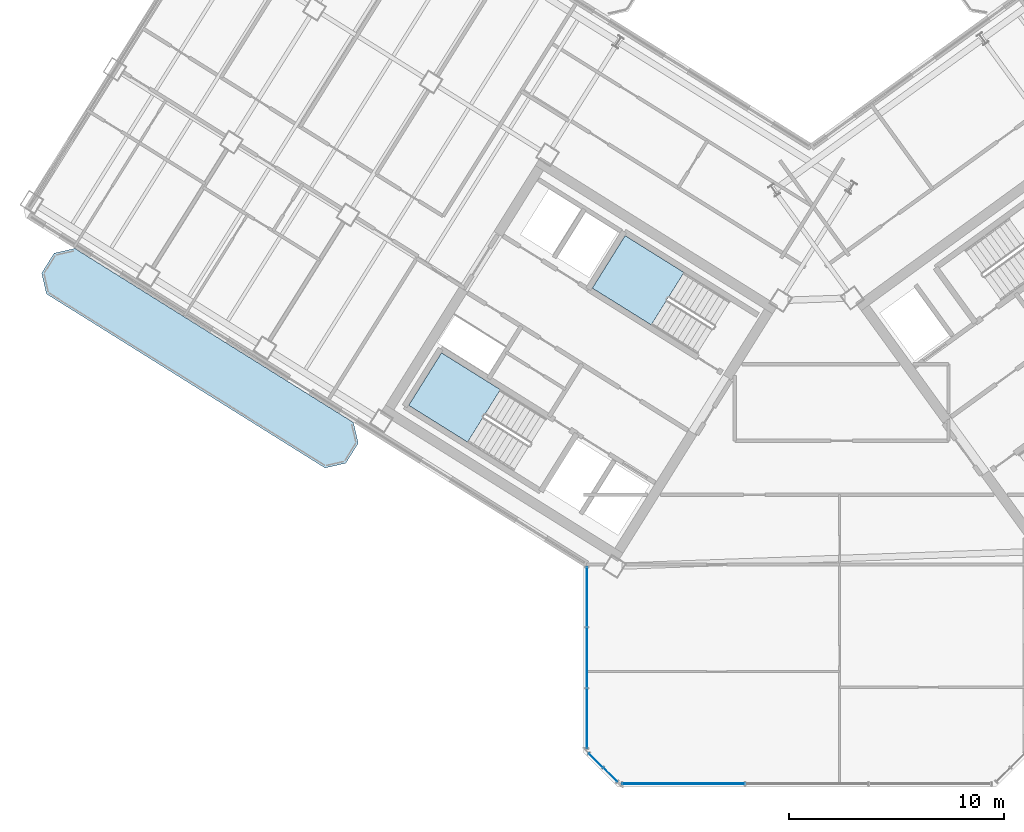
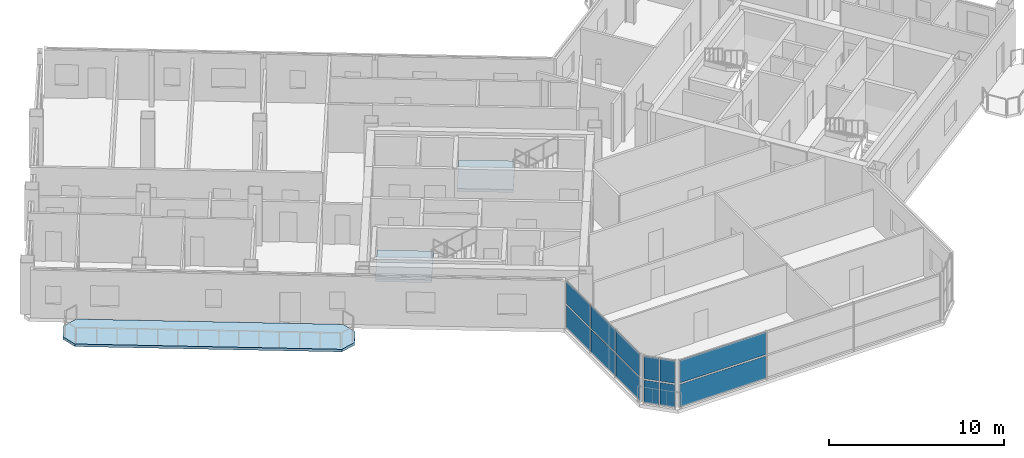
# One storey, part 8 of 21: 12 plates, 3 slabs, 5 elements without a shape of their own.
"""IFC4 building model written with IfcOpenShell, lengths in metres."""

from ifc_helpers import new_model, si_unit, direction, frame, origin, origin_2d, place, context, subcontext, project, spatial, polyline, rectangle, outline, extrude, source, transform, mapped, material, layer, layer_set, type_object, element, aggregate, save


model = new_model("IFC4")

# Units and contexts
model_context = context("Model", 3, precision=1e-05, world=origin(), true_north=direction((0.0, 1.0)))
body_context = subcontext(model_context, "Body", "Model", "MODEL_VIEW")
ifc_project = project(units=[si_unit("LENGTHUNIT", "METRE"), si_unit("AREAUNIT", "SQUARE_METRE"), si_unit("VOLUMEUNIT", "CUBIC_METRE"), si_unit("PLANEANGLEUNIT", "RADIAN"), si_unit("MASSUNIT", "GRAM", prefix="KILO")], contexts=[model_context])

# Site, building, storey
site_placement = place(None, origin())
site = spatial("IfcSite", under=ifc_project, at=site_placement, CompositionType="ELEMENT")
building_placement = place(site_placement, origin())
building = spatial("IfcBuilding", under=site, at=building_placement, Name="Tlacorven Tower", CompositionType="ELEMENT")
storey_placement = place(building_placement, frame((0.0, 0.0, 214.800048828125)))
storey = spatial("IfcBuildingStorey", under=building, at=storey_placement, Name="L54", CompositionType="ELEMENT", Elevation=214.800048828125)

# Slab
ifc_material_1 = material(Name="Precast concrete C45/55", Category="concrete")
ifc_layer_1 = layer(ifc_material_1, 0.179931640625)
ifc_layer_set_1 = layer_set([ifc_layer_1], Name="Precast concrete C45/55")
slab_type_1 = type_object("IfcSlabType", Name="SL-BAL-180", PredefinedType="USERDEFINED", material=ifc_layer_set_1)
slab_1_placement = place(storey_placement, frame((0.0, 0.0, -0.179931640625)))
element("IfcSlab", 1, at=slab_1_placement, inside=storey, type_object=slab_type_1, Name="L54 West Wing Balcony Ribbon OUT", ObjectType="BALCONY SLAB", PredefinedType="USERDEFINED", context=body_context, shape_type="SweptSolid", body=[
    extrude(outline(polyline([(20.88671875, 18.78271484375), (7.91162109375, 26.890625), (6.947021484375, 26.66796875), (6.366943359375, 25.7392578125), (6.589599609375, 24.774658203125), (19.564697265625, 16.6669921875), (20.529296875, 16.8896484375), (21.109375, 17.818115234375), (20.88671875, 18.78271484375)])), origin(), (0.0, 0.0, 1.0), 0.179931640625),
])

# Stair, slab
ifc_material_2 = material(Name="Concrete C40/50", Category="concrete")
stair_type = type_object("IfcStairType", Name="ST-CORE-DLG", PredefinedType="HALF_TURN_STAIR", material=ifc_material_2)
stair_1_placement = place(storey_placement, origin())
stair_1 = element("IfcStair", 2, at=stair_1_placement, inside=storey, type_object=stair_type, Name="L54 Protected Exit Stair West 1", PredefinedType="HALF_TURN_STAIR")
ifc_layer_2 = layer(ifc_material_2, 0.199951171875)
ifc_layer_set_2 = layer_set([ifc_layer_2], Name="Concrete C40/50")
slab_type_2 = type_object("IfcSlabType", Name="SL-LND-200", PredefinedType="LANDING", material=ifc_layer_set_2)
slab_2_placement = place(storey_placement, frame((0.0, 0.0, 1.599853515625)))
slab_2 = element("IfcSlab", 3, at=slab_2_placement, type_object=slab_type_2, Name="ST-W1 landing 1", PredefinedType="LANDING", context=body_context, shape_type="SweptSolid", body=[
    extrude(outline(polyline([(27.728515625, 20.315185546875), (24.9892578125, 22.02685546875), (23.463134765625, 19.58447265625), (26.2021484375, 17.872802734375), (27.728515625, 20.315185546875)])), origin(), (0.0, 0.0, 1.0), 0.2001953125),
])
aggregate(stair_1, [slab_2])

stair_2_placement = place(storey_placement, origin())
stair_2 = element("IfcStair", 4, at=stair_2_placement, inside=storey, type_object=stair_type, Name="L54 Protected Exit Stair West 2", PredefinedType="HALF_TURN_STAIR")
slab_3_placement = place(storey_placement, frame((0.0, 0.0, 1.599853515625)))
slab_3 = element("IfcSlab", 5, at=slab_3_placement, type_object=slab_type_2, Name="ST-W2 landing 1", PredefinedType="LANDING", context=body_context, shape_type="SweptSolid", body=[
    extrude(outline(polyline([(36.280029296875, 25.772705078125), (33.540771484375, 27.484375), (32.0146484375, 25.0419921875), (34.75390625, 23.33056640625), (36.280029296875, 25.772705078125)])), origin(), (0.0, 0.0, 1.0), 0.2001953125),
])
aggregate(stair_2, [slab_3])

# Curtain wall, plates
ifc_material_3 = material(Name="Dark solar low-E double glazing in aluminium frame", Category="aluminium")
curtain_wall_type = type_object("IfcCurtainWallType", Name="CW-TWR-HIGH", PredefinedType="USERDEFINED", material=ifc_material_3)
curtain_wall_1_placement = place(storey_placement, origin())
curtain_wall_1 = element("IfcCurtainWall", 6, at=curtain_wall_1_placement, inside=storey, type_object=curtain_wall_type, Name="L54 CW-TWR-HIGH Curtain Wall 246", ObjectType="UNITISED CURTAIN WALL", PredefinedType="USERDEFINED")
ifc_material_4 = material(Name="High-wind dark solar tempered low-E glazing", Category="glass")
ifc_layer_3 = layer(ifc_material_4, 0.028076171875)
ifc_layer_set_3 = layer_set([ifc_layer_3], Name="High-wind dark solar tempered low-E glazing")
plate_type = type_object("IfcPlateType", Name="CWP-03", PredefinedType="CURTAIN_PANEL", material=ifc_layer_set_3)
shared_shape_1 = source(origin(), body_context, "Body", "SweptSolid", [
    extrude(rectangle(XDim=0.89306640625, YDim=0.028076171875, at=origin_2d()), origin(), (0.0, 0.0, 1.0), 1.572998046875),
])
plate_1_placement = place(storey_placement, frame((32.84375, 2.382568359375, 0.05078125), z_axis=(0.0, 0.0, 1.0), x_axis=(-0.707106781187, 0.707106781187, 0.0)))
plate_1 = element("IfcPlate", 7, at=plate_1_placement, type_object=plate_type, Name="CW-L54-246 Glazing Panel 1", PredefinedType="CURTAIN_PANEL", context=body_context, shape_type="MappedRepresentation", body=[
    mapped(shared_shape_1, transform((0.0, 0.0, 0.0), scale=1.0)),
])
plate_2_placement = place(storey_placement, frame((32.84375, 2.382568359375, 1.72607421875), z_axis=(0.0, 0.0, 1.0), x_axis=(-0.707106781187, 0.707106781187, 0.0)))
plate_2 = element("IfcPlate", 8, at=plate_2_placement, type_object=plate_type, Name="CW-L54-246 Glazing Panel 2", PredefinedType="CURTAIN_PANEL", context=body_context, shape_type="MappedRepresentation", body=[
    mapped(shared_shape_1, transform((0.0, 0.0, 0.0), scale=1.0)),
])
plate_3_placement = place(storey_placement, frame((32.1826171875, 3.043701171875, 0.05078125), z_axis=(0.0, 0.0, 1.0), x_axis=(-0.707106781187, 0.707106781187, 0.0)))
plate_3 = element("IfcPlate", 9, at=plate_3_placement, type_object=plate_type, Name="CW-L54-246 Glazing Panel 3", PredefinedType="CURTAIN_PANEL", context=body_context, shape_type="MappedRepresentation", body=[
    mapped(shared_shape_1, transform((0.0, 0.0, 0.0), scale=1.0)),
])
plate_4_placement = place(storey_placement, frame((32.1826171875, 3.043701171875, 1.72607421875), z_axis=(0.0, 0.0, 1.0), x_axis=(-0.707106781187, 0.707106781187, 0.0)))
plate_4 = element("IfcPlate", 10, at=plate_4_placement, type_object=plate_type, Name="CW-L54-246 Glazing Panel 4", PredefinedType="CURTAIN_PANEL", context=body_context, shape_type="MappedRepresentation", body=[
    mapped(shared_shape_1, transform((0.0, 0.0, 0.0), scale=1.0)),
])
aggregate(curtain_wall_1, [plate_1, plate_2, plate_3, plate_4])

curtain_wall_2_placement = place(storey_placement, origin())
curtain_wall_2 = element("IfcCurtainWall", 11, at=curtain_wall_2_placement, inside=storey, type_object=curtain_wall_type, Name="L54 CW-TWR-HIGH Curtain Wall 245", ObjectType="UNITISED CURTAIN WALL", PredefinedType="USERDEFINED")
shared_shape_2 = source(origin(), body_context, "Body", "SweptSolid", [
    extrude(rectangle(XDim=5.683837890625, YDim=0.028076171875, at=origin_2d()), origin(), (0.0, 0.0, 1.0), 1.572998046875),
])
plate_5_placement = place(storey_placement, frame((36.25927734375, 1.9599609375, 0.05078125), z_axis=(0.0, 0.0, 1.0), x_axis=(-1.0, 0.0, 0.0)))
plate_5 = element("IfcPlate", 12, at=plate_5_placement, type_object=plate_type, Name="CW-L54-245 Glazing Panel 5", PredefinedType="CURTAIN_PANEL", context=body_context, shape_type="MappedRepresentation", body=[
    mapped(shared_shape_2, transform((0.0, 0.0, 0.0), scale=1.0)),
])
plate_6_placement = place(storey_placement, frame((36.25927734375, 1.9599609375, 1.72607421875), z_axis=(0.0, 0.0, 1.0), x_axis=(-1.0, 0.0, 0.0)))
plate_6 = element("IfcPlate", 13, at=plate_6_placement, type_object=plate_type, Name="CW-L54-245 Glazing Panel 6", PredefinedType="CURTAIN_PANEL", context=body_context, shape_type="MappedRepresentation", body=[
    mapped(shared_shape_2, transform((0.0, 0.0, 0.0), scale=1.0)),
])
aggregate(curtain_wall_2, [plate_5, plate_6])

curtain_wall_3_placement = place(storey_placement, origin())
curtain_wall_3 = element("IfcCurtainWall", 14, at=curtain_wall_3_placement, inside=storey, type_object=curtain_wall_type, Name="L54 CW-TWR-HIGH Curtain Wall 247", ObjectType="UNITISED CURTAIN WALL", PredefinedType="USERDEFINED")
shared_shape_3 = source(origin(), body_context, "Body", "SweptSolid", [
    extrude(rectangle(XDim=2.766845703125, YDim=0.028076171875, at=origin_2d()), origin(), (0.0, 0.0, 1.0), 1.572998046875),
])
plate_7_placement = place(storey_placement, frame((31.760009765625, 5.000732421875, 0.05078125), z_axis=(0.0, 0.0, 1.0), x_axis=(0.0, 1.0, 0.0)))
plate_7 = element("IfcPlate", 15, at=plate_7_placement, type_object=plate_type, Name="CW-L54-247 Glazing Panel 1", PredefinedType="CURTAIN_PANEL", context=body_context, shape_type="MappedRepresentation", body=[
    mapped(shared_shape_3, transform((0.0, 0.0, 0.0), scale=1.0)),
])
plate_8_placement = place(storey_placement, frame((31.760009765625, 5.000732421875, 1.72607421875), z_axis=(0.0, 0.0, 1.0), x_axis=(0.0, 1.0, 0.0)))
plate_8 = element("IfcPlate", 16, at=plate_8_placement, type_object=plate_type, Name="CW-L54-247 Glazing Panel 2", PredefinedType="CURTAIN_PANEL", context=body_context, shape_type="MappedRepresentation", body=[
    mapped(shared_shape_3, transform((0.0, 0.0, 0.0), scale=1.0)),
])
plate_9_placement = place(storey_placement, frame((31.760009765625, 10.648681640625, 0.05078125), z_axis=(0.0, 0.0, 1.0), x_axis=(0.0, 1.0, 0.0)))
plate_9 = element("IfcPlate", 17, at=plate_9_placement, type_object=plate_type, Name="CW-L54-247 Glazing Panel 5", PredefinedType="CURTAIN_PANEL", context=body_context, shape_type="MappedRepresentation", body=[
    mapped(shared_shape_3, transform((0.0, 0.0, 0.0), scale=1.0)),
])
plate_10_placement = place(storey_placement, frame((31.760009765625, 10.648681640625, 1.72607421875), z_axis=(0.0, 0.0, 1.0), x_axis=(0.0, 1.0, 0.0)))
plate_10 = element("IfcPlate", 18, at=plate_10_placement, type_object=plate_type, Name="CW-L54-247 Glazing Panel 6", PredefinedType="CURTAIN_PANEL", context=body_context, shape_type="MappedRepresentation", body=[
    mapped(shared_shape_3, transform((0.0, 0.0, 0.0), scale=1.0)),
])
shared_shape_4 = source(origin(), body_context, "Body", "SweptSolid", [
    extrude(rectangle(XDim=2.796875, YDim=0.028076171875, at=origin_2d()), origin(), (0.0, 0.0, 1.0), 1.572998046875),
])
plate_11_placement = place(storey_placement, frame((31.760009765625, 7.82470703125, 0.05078125), z_axis=(0.0, 0.0, 1.0), x_axis=(0.0, 1.0, 0.0)))
plate_11 = element("IfcPlate", 19, at=plate_11_placement, type_object=plate_type, Name="CW-L54-247 Glazing Panel 3", PredefinedType="CURTAIN_PANEL", context=body_context, shape_type="MappedRepresentation", body=[
    mapped(shared_shape_4, transform((0.0, 0.0, 0.0), scale=1.0)),
])
plate_12_placement = place(storey_placement, frame((31.760009765625, 7.82470703125, 1.72607421875), z_axis=(0.0, 0.0, 1.0), x_axis=(0.0, 1.0, 0.0)))
plate_12 = element("IfcPlate", 20, at=plate_12_placement, type_object=plate_type, Name="CW-L54-247 Glazing Panel 4", PredefinedType="CURTAIN_PANEL", context=body_context, shape_type="MappedRepresentation", body=[
    mapped(shared_shape_4, transform((0.0, 0.0, 0.0), scale=1.0)),
])
aggregate(curtain_wall_3, [plate_7, plate_8, plate_11, plate_12, plate_9, plate_10])

save(model, "model.ifc")
